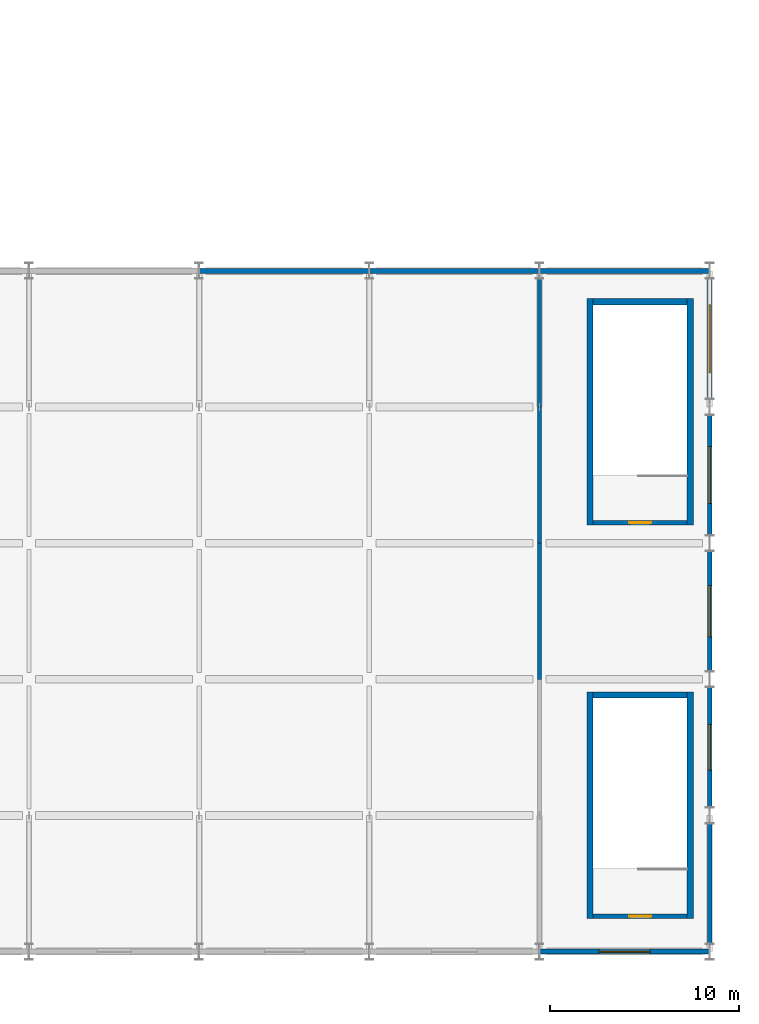
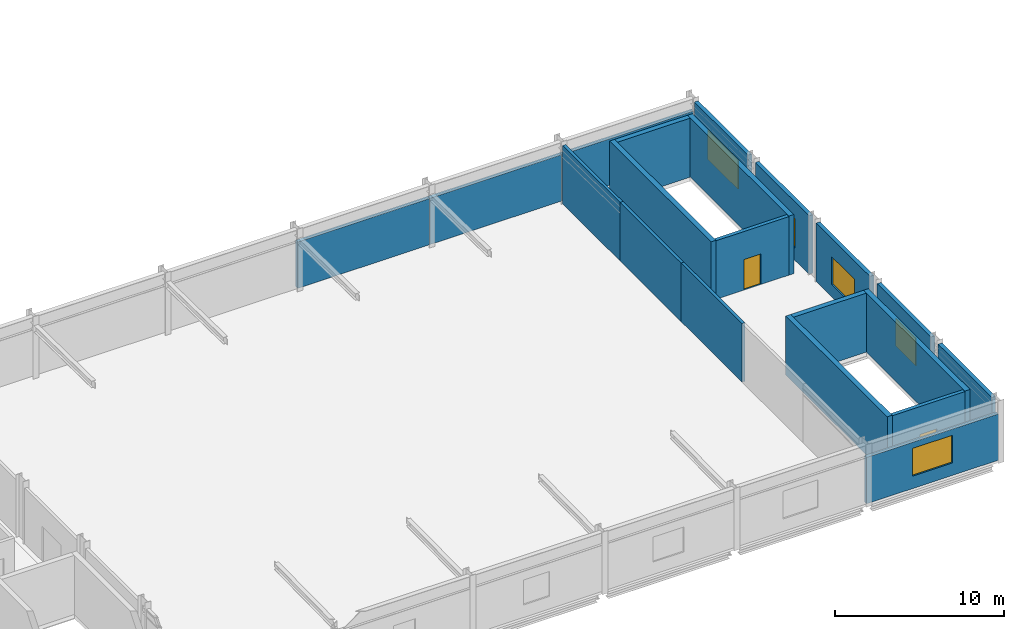
# One storey, part 113 of 151: 20 walls, 5 windows, 2 doors, 7 openings.
"""IFC4 building model written with IfcOpenShell, lengths in metres."""

from ifc_helpers import new_model, si_unit, direction, frame, frame_2d, origin, place, context, subcontext, project, spatial, rectangle, extrude, material, layer, layer_set, type_object, element, fill, save


model = new_model("IFC4")

# Units and contexts
model_context = context("Model", 3, precision=1e-05, world=origin(), true_north=direction((0.0, 1.0)))
body_context = subcontext(model_context, "Body", "Model", "MODEL_VIEW")
ifc_project = project(units=[si_unit("LENGTHUNIT", "METRE"), si_unit("AREAUNIT", "SQUARE_METRE"), si_unit("VOLUMEUNIT", "CUBIC_METRE"), si_unit("PLANEANGLEUNIT", "RADIAN"), si_unit("MASSUNIT", "GRAM", prefix="KILO")], contexts=[model_context])

# Site, building, storey
site_placement = place(None, origin())
site = spatial("IfcSite", under=ifc_project, at=site_placement, CompositionType="ELEMENT")
building_placement = place(site_placement, origin())
building = spatial("IfcBuilding", under=site, at=building_placement, Name="Celestram Park Convention Centre", CompositionType="ELEMENT")
storey_placement = place(building_placement, frame((0.0, 0.0, 10.800048828125)))
storey = spatial("IfcBuildingStorey", under=building, at=storey_placement, Name="L02", CompositionType="ELEMENT", Elevation=10.800048828125)

# Walls
ifc_material_1 = material(Name="Double-Stud Acoustic Gypsum Assembly", Category="gypsum")
ifc_layer_1 = layer(ifc_material_1, 0.199951171875)
ifc_layer_set_1 = layer_set([ifc_layer_1], Name="Double-Stud Acoustic Gypsum Assembly")
wall_type_1 = type_object("IfcWallType", Name="ARC-WL-ACO200", PredefinedType="PARTITIONING", material=ifc_layer_set_1)
wall_1_placement = place(storey_placement, frame((207.0, 14.39990234375, 0.0), z_axis=(0.0, 0.0, 1.0), x_axis=(0.0, 1.0, 0.0)))
element("IfcWall", 1, at=wall_1_placement, inside=storey, type_object=wall_type_1, Name="Interior partition WL-L02-IN0870", PredefinedType="PARTITIONING", context=body_context, shape_type="SweptSolid", body=[
    extrude(rectangle(XDim=7.2001953125, YDim=0.199951171875, at=frame_2d((3.60009765625, 0.0))), origin(), (0.0, 0.0, 1.0), 4.219970703125),
])
wall_2_placement = place(storey_placement, frame((207.0, 21.60009765625, 0.0), z_axis=(0.0, 0.0, 1.0), x_axis=(0.0, 1.0, 0.0)))
element("IfcWall", 2, at=wall_2_placement, inside=storey, type_object=wall_type_1, Name="Interior partition WL-L02-IN0871", PredefinedType="PARTITIONING", context=body_context, shape_type="SweptSolid", body=[
    extrude(rectangle(XDim=7.199951171875, YDim=0.199951171875, at=frame_2d((3.60009765625, 0.0))), origin(), (0.0, 0.0, 1.0), 4.219970703125),
])
wall_3_placement = place(storey_placement, frame((207.0, 28.800048828125, 0.0), z_axis=(0.0, 0.0, 1.0), x_axis=(0.0, 1.0, 0.0)))
element("IfcWall", 3, at=wall_3_placement, inside=storey, type_object=wall_type_1, Name="Interior partition WL-L02-IN0872", PredefinedType="PARTITIONING", context=body_context, shape_type="SweptSolid", body=[
    extrude(rectangle(XDim=6.77392578125, YDim=0.199951171875, at=frame_2d((3.386962890625, 0.0))), origin(), (0.0, 0.0, 1.0), 4.219970703125),
])

# Wall, opening, door
ifc_material_2 = material(Name="Concrete Block Masonry C25/30", Category="masonry")
ifc_layer_2 = layer(ifc_material_2, 0.25)
ifc_layer_set_2 = layer_set([ifc_layer_2], Name="Concrete Block Masonry C25/30")
wall_type_2 = type_object("IfcWallType", Name="ARC-WL-COR250", PredefinedType="STANDARD", material=ifc_layer_set_2)
wall_4_placement = place(storey_placement, frame((209.840087890625, 1.875, 0.0), z_axis=(0.0, 0.0, 1.0), x_axis=(1.0, 0.0, 0.0)))
wall_4 = element("IfcWall", 4, at=wall_4_placement, inside=storey, type_object=wall_type_2, Name="Core S11 stair entrance wall", PredefinedType="STANDARD", context=body_context, shape_type="SweptSolid", body=[
    extrude(rectangle(XDim=4.9599609375, YDim=0.25, at=frame_2d((2.47998046875, 0.0))), origin(), (0.0, 0.0, 1.0), 4.219970703125),
])
opening_1_placement = place(wall_4_placement, frame((1.905029296875, 0.0, 0.0)))
opening_1 = element("IfcOpeningElement", 5, at=opening_1_placement, cuts=wall_4, Name="Opening D-ST1", PredefinedType="OPENING", context=body_context, shape_type="SweptSolid", body=[
    extrude(rectangle(XDim=1.14990234375, YDim=2.199951171875, at=frame_2d((0.574951171875, 1.10009765625))), frame((0.0, 0.135009765625, 0.0), z_axis=(0.0, -1.0, 0.0), x_axis=(1.0, 0.0, 0.0)), (0.0, 0.0, 1.0), 0.27001953125),
])
ifc_material_3 = material(Name="Fire-Rated Hollow Metal Steel ASTM A653", Category="steel")
door_type = type_object("IfcDoorType", Name="ARC-DR-ST115", OperationType="NOTDEFINED", PredefinedType="DOOR", material=ifc_material_3)
door_1_placement = place(opening_1_placement, origin())
door_1 = element("IfcDoor", 6, at=door_1_placement, inside=storey, type_object=door_type, Name="Exit stair ST-11 fire door", OperationType="SINGLE_SWING_LEFT", OverallHeight=2.199951171875, OverallWidth=1.14990234375, PredefinedType="DOOR", context=body_context, shape_type="SweptSolid", body=[
    extrude(rectangle(XDim=1.14990234375, YDim=2.199951171875, at=frame_2d((0.574951171875, 1.10009765625))), frame((0.0, 0.02490234375, 0.0), z_axis=(0.0, -1.0, 0.0), x_axis=(1.0, 0.0, 0.0)), (0.0, 0.0, 1.0), 0.050048828125),
])
fill(opening_1, door_1)

wall_5_placement = place(storey_placement, frame((209.840087890625, 22.675048828125, 0.0), z_axis=(0.0, 0.0, 1.0), x_axis=(1.0, 0.0, 0.0)))
wall_5 = element("IfcWall", 7, at=wall_5_placement, inside=storey, type_object=wall_type_2, Name="Core S12 stair entrance wall", PredefinedType="STANDARD", context=body_context, shape_type="SweptSolid", body=[
    extrude(rectangle(XDim=4.9599609375, YDim=0.25, at=frame_2d((2.47998046875, 0.0))), origin(), (0.0, 0.0, 1.0), 4.219970703125),
])
opening_2_placement = place(wall_5_placement, frame((1.905029296875, 0.0, 0.0)))
opening_2 = element("IfcOpeningElement", 8, at=opening_2_placement, cuts=wall_5, Name="Opening D-ST1", PredefinedType="OPENING", context=body_context, shape_type="SweptSolid", body=[
    extrude(rectangle(XDim=1.14990234375, YDim=2.199951171875, at=frame_2d((0.574951171875, 1.10009765625))), frame((0.0, 0.135009765625, 0.0), z_axis=(0.0, -1.0, 0.0), x_axis=(1.0, 0.0, 0.0)), (0.0, 0.0, 1.0), 0.27001953125),
])
door_2_placement = place(opening_2_placement, origin())
door_2 = element("IfcDoor", 9, at=door_2_placement, inside=storey, type_object=door_type, Name="Exit stair ST-12 fire door", OperationType="SINGLE_SWING_RIGHT", OverallHeight=2.199951171875, OverallWidth=1.14990234375, PredefinedType="DOOR", context=body_context, shape_type="SweptSolid", body=[
    extrude(rectangle(XDim=1.14990234375, YDim=2.199951171875, at=frame_2d((0.574951171875, 1.10009765625))), frame((0.0, 0.02490234375, 0.0), z_axis=(0.0, -1.0, 0.0), x_axis=(1.0, 0.0, 0.0)), (0.0, 0.0, 1.0), 0.050048828125),
])
fill(opening_2, door_2)

# Wall, opening, window
ifc_material_4 = material(Name="Precast Concrete C40/50", Category="concrete")
ifc_layer_3 = layer(ifc_material_4, 0.260009765625)
ifc_layer_set_3 = layer_set([ifc_layer_3], Name="Precast Concrete C40/50")
wall_type_3 = type_object("IfcWallType", Name="ARC-WL-EXT260", PredefinedType="STANDARD", material=ifc_layer_set_3)
wall_6_placement = place(storey_placement, frame((215.992919921875, 0.0, 0.0), z_axis=(0.0, 0.0, 1.0), x_axis=(-1.0, 0.0, 0.0)))
wall_6 = element("IfcWall", 10, at=wall_6_placement, inside=storey, type_object=wall_type_3, Name="Bush-hammered precast exterior wall WL-L02-EW121", PredefinedType="STANDARD", context=body_context, shape_type="SweptSolid", body=[
    extrude(rectangle(XDim=8.98583984375, YDim=0.260009765625, at=frame_2d((4.492919921875, 0.0))), origin(), (0.0, 0.0, 1.0), 3.3359375),
])
opening_3_placement = place(wall_6_placement, frame((3.142822265625, 0.0, 0.89990234375)))
opening_3 = element("IfcOpeningElement", 11, at=opening_3_placement, cuts=wall_6, Name="Opening W-03", PredefinedType="OPENING", context=body_context, shape_type="SweptSolid", body=[
    extrude(rectangle(XDim=2.699951171875, YDim=2.0, at=frame_2d((1.35009765625, 1.0))), frame((0.0, 0.139892578125, 0.0), z_axis=(0.0, -1.0, 0.0), x_axis=(1.0, 0.0, 0.0)), (0.0, 0.0, 1.0), 0.280029296875),
])
ifc_material_5 = material(Name="Thermally Broken Aluminium & Triple Glazing", Category="aluminium")
window_type_1 = type_object("IfcWindowType", Name="ARC-WN-270X200", PartitioningType="SINGLE_PANEL", PredefinedType="WINDOW", material=ifc_material_5)
window_1_placement = place(opening_3_placement, origin())
window_1 = element("IfcWindow", 12, at=window_1_placement, inside=storey, type_object=window_type_1, Name="Punched exterior window WN-L02-035", OverallHeight=2.0, OverallWidth=2.699951171875, PartitioningType="SINGLE_PANEL", PredefinedType="WINDOW", context=body_context, shape_type="SweptSolid", body=[
    extrude(rectangle(XDim=2.699951171875, YDim=2.0, at=frame_2d((1.35009765625, 1.0))), frame((0.0, 0.030029296875, 0.0), z_axis=(0.0, -1.0, 0.0), x_axis=(1.0, 0.0, 0.0)), (0.0, 0.0, 1.0), 0.06005859375),
])
fill(opening_3, window_1)

# Walls
for number, where, z_axis, x_axis, name in (
    (13, (189.007080078125, 36.0, 0.0), (0.0, 0.0, 1.0), (1.0, 0.0, 0.0), "Bush-hammered precast exterior wall WL-L02-EW130"),
    (14, (198.007080078125, 36.0, 0.0), (0.0, 0.0, 1.0), (1.0, 0.0, 0.0), "Bush-hammered precast exterior wall WL-L02-EW131"),
    (15, (207.007080078125, 36.0, 0.0), (0.0, 0.0, 1.0), (1.0, 0.0, 0.0), "Bush-hammered precast exterior wall WL-L02-EW132"),
):
    element("IfcWall", number, at=place(storey_placement, frame(where, z_axis=z_axis, x_axis=x_axis)), inside=storey, type_object=wall_type_3, Name=name, PredefinedType="STANDARD", context=body_context, shape_type="SweptSolid", body=[
        extrude(rectangle(XDim=8.98583984375, YDim=0.260009765625, at=frame_2d((4.492919921875, 0.0))), origin(), (0.0, 0.0, 1.0), 3.3359375),
    ])

# Wall, opening, window
wall_7_placement = place(storey_placement, frame((216.0, 35.573974609375, 0.0), z_axis=(0.0, 0.0, 1.0), x_axis=(0.0, -1.0, 0.0)))
wall_7 = element("IfcWall", 16, at=wall_7_placement, inside=storey, type_object=wall_type_3, Name="Bush-hammered precast exterior wall WL-L02-EW133", PredefinedType="STANDARD", context=body_context, shape_type="SweptSolid", body=[
    extrude(rectangle(XDim=6.347900390625, YDim=0.260009765625, at=frame_2d((3.173828125, 0.0))), origin(), (0.0, 0.0, 1.0), 4.219970703125),
])
opening_4_placement = place(wall_7_placement, frame((1.3740234375, 0.0, 0.89990234375)))
opening_4 = element("IfcOpeningElement", 17, at=opening_4_placement, cuts=wall_7, Name="Opening W-01", PredefinedType="OPENING", context=body_context, shape_type="SweptSolid", body=[
    extrude(rectangle(XDim=3.60009765625, YDim=2.10009765625, at=frame_2d((1.800048828125, 1.050048828125))), frame((0.0, 0.139892578125, 0.0), z_axis=(0.0, -1.0, 0.0), x_axis=(1.0, 0.0, 0.0)), (0.0, 0.0, 1.0), 0.280029296875),
])
window_type_2 = type_object("IfcWindowType", Name="ARC-WN-360X220", PartitioningType="SINGLE_PANEL", PredefinedType="WINDOW", material=ifc_material_5)
window_2_placement = place(opening_4_placement, origin())
window_2 = element("IfcWindow", 18, at=window_2_placement, inside=storey, type_object=window_type_2, Name="Punched exterior window WN-L02-041", OverallHeight=2.10009765625, OverallWidth=3.60009765625, PartitioningType="SINGLE_PANEL", PredefinedType="WINDOW", context=body_context, shape_type="SweptSolid", body=[
    extrude(rectangle(XDim=3.60009765625, YDim=2.10009765625, at=frame_2d((1.800048828125, 1.050048828125))), frame((0.0, 0.030029296875, 0.0), z_axis=(0.0, -1.0, 0.0), x_axis=(1.0, 0.0, 0.0)), (0.0, 0.0, 1.0), 0.06005859375),
])
fill(opening_4, window_2)

wall_8_placement = place(storey_placement, frame((216.0, 28.3740234375, 0.0), z_axis=(0.0, 0.0, 1.0), x_axis=(0.0, -1.0, 0.0)))
wall_8 = element("IfcWall", 19, at=wall_8_placement, inside=storey, type_object=wall_type_3, Name="Bush-hammered precast exterior wall WL-L02-EW134", PredefinedType="STANDARD", context=body_context, shape_type="SweptSolid", body=[
    extrude(rectangle(XDim=6.34814453125, YDim=0.260009765625, at=frame_2d((3.174072265625, 0.0))), origin(), (0.0, 0.0, 1.0), 4.219970703125),
])
opening_5_placement = place(wall_8_placement, frame((1.674072265625, 0.0, 0.89990234375)))
opening_5 = element("IfcOpeningElement", 20, at=opening_5_placement, cuts=wall_8, Name="Opening W-02", PredefinedType="OPENING", context=body_context, shape_type="SweptSolid", body=[
    extrude(rectangle(XDim=3.0, YDim=2.10009765625, at=frame_2d((1.5, 1.050048828125))), frame((0.0, 0.139892578125, 0.0), z_axis=(0.0, -1.0, 0.0), x_axis=(1.0, 0.0, 0.0)), (0.0, 0.0, 1.0), 0.280029296875),
])
window_type_3 = type_object("IfcWindowType", Name="ARC-WN-300X220", PartitioningType="SINGLE_PANEL", PredefinedType="WINDOW", material=ifc_material_5)
window_3_placement = place(opening_5_placement, origin())
window_3 = element("IfcWindow", 21, at=window_3_placement, inside=storey, type_object=window_type_3, Name="Punched exterior window WN-L02-042", OverallHeight=2.10009765625, OverallWidth=3.0, PartitioningType="SINGLE_PANEL", PredefinedType="WINDOW", context=body_context, shape_type="SweptSolid", body=[
    extrude(rectangle(XDim=3.0, YDim=2.10009765625, at=frame_2d((1.5, 1.050048828125))), frame((0.0, 0.030029296875, 0.0), z_axis=(0.0, -1.0, 0.0), x_axis=(1.0, 0.0, 0.0)), (0.0, 0.0, 1.0), 0.06005859375),
])
fill(opening_5, window_3)

wall_9_placement = place(storey_placement, frame((216.0, 21.174072265625, 0.0), z_axis=(0.0, 0.0, 1.0), x_axis=(0.0, -1.0, 0.0)))
wall_9 = element("IfcWall", 22, at=wall_9_placement, inside=storey, type_object=wall_type_3, Name="Bush-hammered precast exterior wall WL-L02-EW135", PredefinedType="STANDARD", context=body_context, shape_type="SweptSolid", body=[
    extrude(rectangle(XDim=6.34814453125, YDim=0.260009765625, at=frame_2d((3.174072265625, 0.0))), origin(), (0.0, 0.0, 1.0), 4.219970703125),
])
opening_6_placement = place(wall_9_placement, frame((1.823974609375, 0.0, 0.89990234375)))
opening_6 = element("IfcOpeningElement", 23, at=opening_6_placement, cuts=wall_9, Name="Opening W-03", PredefinedType="OPENING", context=body_context, shape_type="SweptSolid", body=[
    extrude(rectangle(XDim=2.699951171875, YDim=2.0, at=frame_2d((1.35009765625, 1.0))), frame((0.0, 0.139892578125, 0.0), z_axis=(0.0, -1.0, 0.0), x_axis=(1.0, 0.0, 0.0)), (0.0, 0.0, 1.0), 0.280029296875),
])
window_4_placement = place(opening_6_placement, origin())
window_4 = element("IfcWindow", 24, at=window_4_placement, inside=storey, type_object=window_type_1, Name="Punched exterior window WN-L02-043", OverallHeight=2.0, OverallWidth=2.699951171875, PartitioningType="SINGLE_PANEL", PredefinedType="WINDOW", context=body_context, shape_type="SweptSolid", body=[
    extrude(rectangle(XDim=2.699951171875, YDim=2.0, at=frame_2d((1.35009765625, 1.0))), frame((0.0, 0.030029296875, 0.0), z_axis=(0.0, -1.0, 0.0), x_axis=(1.0, 0.0, 0.0)), (0.0, 0.0, 1.0), 0.06005859375),
])
fill(opening_6, window_4)

wall_10_placement = place(storey_placement, frame((216.0, 13.97412109375, 0.0), z_axis=(0.0, 0.0, 1.0), x_axis=(0.0, -1.0, 0.0)))
wall_10 = element("IfcWall", 25, at=wall_10_placement, inside=storey, type_object=wall_type_3, Name="Bush-hammered precast exterior wall WL-L02-EW136", PredefinedType="STANDARD", context=body_context, shape_type="SweptSolid", body=[
    extrude(rectangle(XDim=6.34814453125, YDim=0.260009765625, at=frame_2d((3.174072265625, 0.0))), origin(), (0.0, 0.0, 1.0), 4.219970703125),
])
opening_7_placement = place(wall_10_placement, frame((1.97412109375, 0.0, 0.89990234375)))
opening_7 = element("IfcOpeningElement", 26, at=opening_7_placement, cuts=wall_10, Name="Opening W-04", PredefinedType="OPENING", context=body_context, shape_type="SweptSolid", body=[
    extrude(rectangle(XDim=2.39990234375, YDim=2.0, at=frame_2d((1.199951171875, 1.0))), frame((0.0, 0.139892578125, 0.0), z_axis=(0.0, -1.0, 0.0), x_axis=(1.0, 0.0, 0.0)), (0.0, 0.0, 1.0), 0.280029296875),
])
window_type_4 = type_object("IfcWindowType", Name="ARC-WN-240X200", PartitioningType="SINGLE_PANEL", PredefinedType="WINDOW", material=ifc_material_5)
window_5_placement = place(opening_7_placement, origin())
window_5 = element("IfcWindow", 27, at=window_5_placement, inside=storey, type_object=window_type_4, Name="Punched exterior window WN-L02-044", OverallHeight=2.0, OverallWidth=2.39990234375, PartitioningType="SINGLE_PANEL", PredefinedType="WINDOW", context=body_context, shape_type="SweptSolid", body=[
    extrude(rectangle(XDim=2.39990234375, YDim=2.0, at=frame_2d((1.199951171875, 1.0))), frame((0.0, 0.030029296875, 0.0), z_axis=(0.0, -1.0, 0.0), x_axis=(1.0, 0.0, 0.0)), (0.0, 0.0, 1.0), 0.06005859375),
])
fill(opening_7, window_5)

# Walls
wall_11_placement = place(storey_placement, frame((216.0, 6.77392578125, 0.0), z_axis=(0.0, 0.0, 1.0), x_axis=(0.0, -1.0, 0.0)))
element("IfcWall", 28, at=wall_11_placement, inside=storey, type_object=wall_type_3, Name="Bush-hammered precast exterior wall WL-L02-EW137", PredefinedType="STANDARD", context=body_context, shape_type="SweptSolid", body=[
    extrude(rectangle(XDim=6.347900390625, YDim=0.260009765625, at=frame_2d((3.173828125, 0.0))), origin(), (0.0, 0.0, 1.0), 4.219970703125),
])
ifc_material_6 = material(Name="Concrete C40/50", Category="concrete")
ifc_layer_4 = layer(ifc_material_6, 0.340087890625)
ifc_layer_set_4 = layer_set([ifc_layer_4], Name="Concrete C40/50")
wall_type_4 = type_object("IfcWallType", Name="STR-WL-SHR340", PredefinedType="SHEAR", material=ifc_layer_set_4)
for number, where, z_axis, x_axis, name in (
    (29, (209.669921875, 1.75, 0.0), (0.0, 0.0, 1.0), (0.0, 1.0, 0.0), "Core S11 shear wall L"),
    (30, (214.969970703125, 13.739990234375, 0.0), (0.0, 0.0, 1.0), (0.0, -1.0, 0.0), "Core S11 shear wall R"),
):
    element("IfcWall", number, at=place(storey_placement, frame(where, z_axis=z_axis, x_axis=x_axis)), inside=storey, type_object=wall_type_4, Name=name, PredefinedType="SHEAR", context=body_context, shape_type="SweptSolid", body=[
        extrude(rectangle(XDim=11.989990234375, YDim=0.340087890625, at=frame_2d((5.9951171875, 0.0))), origin(), (0.0, 0.0, 1.0), 4.260009765625),
    ])
wall_12_placement = place(storey_placement, frame((209.840087890625, 13.570068359375, 0.0), z_axis=(0.0, 0.0, 1.0), x_axis=(1.0, 0.0, 0.0)))
element("IfcWall", 31, at=wall_12_placement, inside=storey, type_object=wall_type_4, Name="Core S11 shear wall F", PredefinedType="SHEAR", context=body_context, shape_type="SweptSolid", body=[
    extrude(rectangle(XDim=4.9599609375, YDim=0.340087890625, at=frame_2d((2.47998046875, 0.0))), origin(), (0.0, 0.0, 1.0), 4.260009765625),
])
for number, where, z_axis, x_axis, name in (
    (32, (209.669921875, 22.550048828125, 0.0), (0.0, 0.0, 1.0), (0.0, 1.0, 0.0), "Core S12 shear wall L"),
    (33, (214.969970703125, 34.5400390625, 0.0), (0.0, 0.0, 1.0), (0.0, -1.0, 0.0), "Core S12 shear wall R"),
):
    element("IfcWall", number, at=place(storey_placement, frame(where, z_axis=z_axis, x_axis=x_axis)), inside=storey, type_object=wall_type_4, Name=name, PredefinedType="SHEAR", context=body_context, shape_type="SweptSolid", body=[
        extrude(rectangle(XDim=11.989990234375, YDim=0.340087890625, at=frame_2d((5.9951171875, 0.0))), origin(), (0.0, 0.0, 1.0), 4.260009765625),
    ])
wall_13_placement = place(storey_placement, frame((209.840087890625, 34.3701171875, 0.0), z_axis=(0.0, 0.0, 1.0), x_axis=(1.0, 0.0, 0.0)))
element("IfcWall", 34, at=wall_13_placement, inside=storey, type_object=wall_type_4, Name="Core S12 shear wall F", PredefinedType="SHEAR", context=body_context, shape_type="SweptSolid", body=[
    extrude(rectangle(XDim=4.9599609375, YDim=0.340087890625, at=frame_2d((2.47998046875, 0.0))), origin(), (0.0, 0.0, 1.0), 4.260009765625),
])

save(model, "model.ifc")
